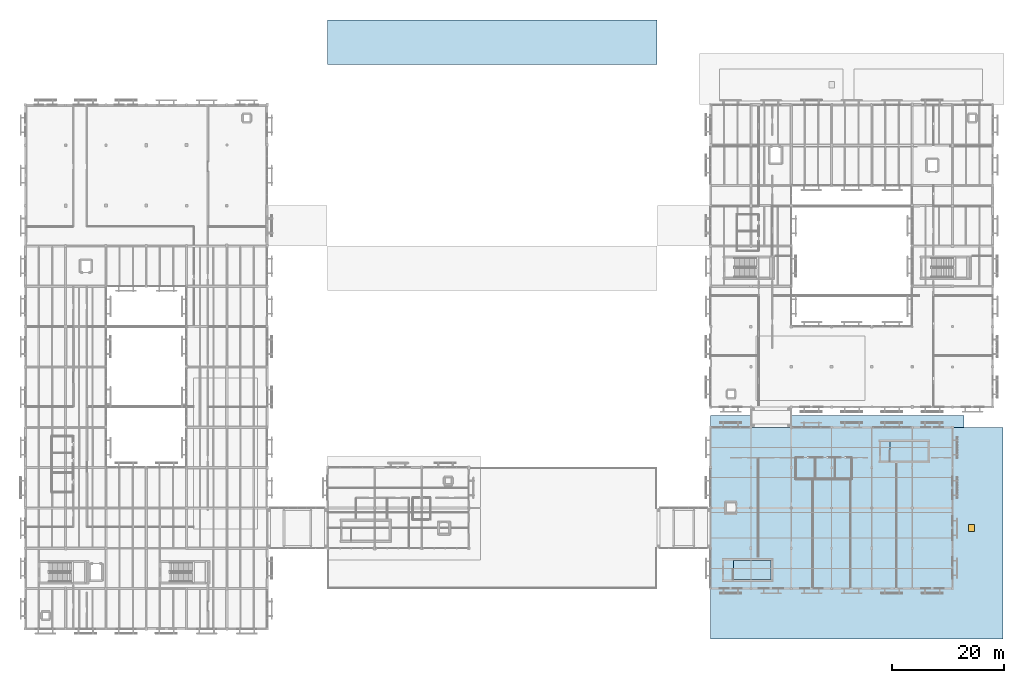
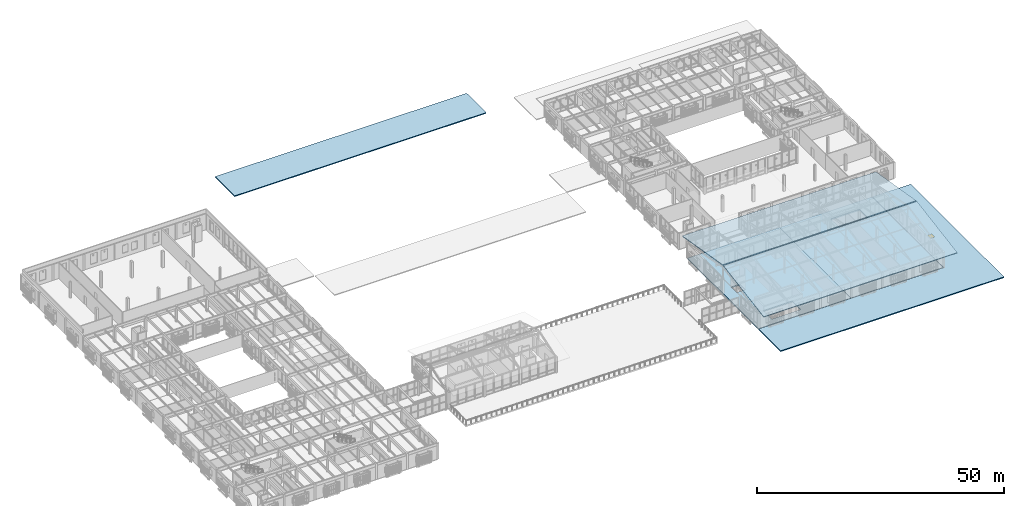
# One storey, part 75 of 112: 6 slabs, 1 door, 1 opening.
"""IFC4 building model written with IfcOpenShell, lengths in metres."""

from ifc_helpers import new_model, si_unit, direction, frame, origin, origin_2d, place, context, subcontext, project, spatial, polyline, rectangle, outline, extrude, material, layer, layer_set, type_object, element, fill, save


model = new_model("IFC4")

# Units and contexts
model_context = context("Model", 3, precision=1e-05, world=origin(), true_north=direction((0.0, 1.0)))
body_context = subcontext(model_context, "Body", "Model", "MODEL_VIEW")
ifc_project = project(units=[si_unit("LENGTHUNIT", "METRE"), si_unit("AREAUNIT", "SQUARE_METRE"), si_unit("VOLUMEUNIT", "CUBIC_METRE"), si_unit("PLANEANGLEUNIT", "RADIAN"), si_unit("MASSUNIT", "GRAM", prefix="KILO")], contexts=[model_context])

# Site, building, storey
site_placement = place(None, origin())
site = spatial("IfcSite", under=ifc_project, at=site_placement, CompositionType="ELEMENT")
building_placement = place(site_placement, origin())
building = spatial("IfcBuilding", under=site, at=building_placement, Name="Mazaris Harbour Polytechnic", CompositionType="ELEMENT")
storey_placement = place(building_placement, frame((0.0, 0.0, 13.800048828125)))
storey = spatial("IfcBuildingStorey", under=building, at=storey_placement, Name="L03", CompositionType="ELEMENT", Elevation=13.800048828125)

# Slabs
ifc_material_1 = material(Name="Glulam GL28h and Concrete C30/37", Category="concrete")
ifc_layer_1 = layer(ifc_material_1, 0.280029296875, Name="Glulam GL28h and Concrete C30/37")
ifc_layer_set_1 = layer_set([ifc_layer_1], Name="Glulam GL28h and Concrete C30/37")
slab_type_1 = type_object("IfcSlabType", Name="CLT Composite Floor 280", PredefinedType="FLOOR", material=ifc_layer_set_1)
slab_1_placement = place(storey_placement, frame((0.0, 0.0, -0.280029296875)))
element("IfcSlab", 1, at=slab_1_placement, inside=storey, type_object=slab_type_1, Name="V2 L03 Floor Slab", PredefinedType="FLOOR", context=body_context, shape_type="SweptSolid", body=[
    extrude(outline(polyline([(122.39990234375, 14.39990234375), (122.39990234375, 43.199951171875), (144.0, 43.199951171875), (144.0, 14.39990234375), (122.39990234375, 14.39990234375)]), holes=[polyline([(133.199951171875, 16.0), (133.199951171875, 19.449951171875), (126.47509765625, 19.449951171875), (126.47509765625, 16.0), (133.199951171875, 16.0)]), polyline([(125.0, 29.89990234375), (125.0, 27.699951171875), (127.0, 27.699951171875), (127.0, 29.89990234375), (125.0, 29.89990234375)])]), origin(), (0.0, 0.0, 1.0), 0.280029296875),
])
slab_2_placement = place(storey_placement, frame((0.0, 0.0, -0.280029296875)))
element("IfcSlab", 2, at=slab_2_placement, inside=storey, type_object=slab_type_1, Name="V2 L03 Floor Slab", PredefinedType="FLOOR", context=body_context, shape_type="SweptSolid", body=[
    extrude(outline(polyline([(165.60009765625, 14.39990234375), (144.0, 14.39990234375), (144.0, 43.199951171875), (165.60009765625, 43.199951171875), (165.60009765625, 14.39990234375)]), holes=[polyline([(154.47509765625, 37.199951171875), (161.199951171875, 37.199951171875), (161.199951171875, 40.64990234375), (154.47509765625, 40.64990234375), (154.47509765625, 37.199951171875)])]), origin(), (0.0, 0.0, 1.0), 0.280029296875),
])

# Slab, opening, door
ifc_material_2 = material(Name="Glulam GL28h and Concrete C30/37", Category="concrete")
ifc_layer_2 = layer(ifc_material_2, 0.239990234375, Name="Glulam GL28h and Concrete C30/37")
ifc_layer_set_2 = layer_set([ifc_layer_2], Name="Glulam GL28h and Concrete C30/37")
slab_type_2 = type_object("IfcSlabType", Name="Insulated Flat Roof Slab 240", PredefinedType="ROOF", material=ifc_layer_set_2)
slab_3_placement = place(storey_placement, frame((0.0, 0.0, -0.239990234375)))
slab_3 = element("IfcSlab", 3, at=slab_3_placement, inside=storey, type_object=slab_type_2, Name="V2 Setback Cornice Roof", PredefinedType="ROOF", context=body_context, shape_type="SweptSolid", body=[
    extrude(outline(polyline([(174.60009765625, 43.199951171875), (174.60009765625, 5.39990234375), (122.39990234375, 5.39990234375), (122.39990234375, 14.35009765625), (165.64990234375, 14.35009765625), (165.64990234375, 43.199951171875), (174.60009765625, 43.199951171875)])), origin(), (0.0, 0.0, 1.0), 0.239990234375),
])
opening_placement = place(slab_3_placement, frame((169.0, 25.199951171875, 0.0)))
opening = element("IfcOpeningElement", 4, at=opening_placement, cuts=slab_3, Name="Opening HT-01", PredefinedType="OPENING", context=body_context, shape_type="SweptSolid", body=[
    extrude(rectangle(XDim=1.0, YDim=1.199951171875, at=origin_2d()), origin(), (0.0, 0.0, 1.0), 0.239990234375),
])
ifc_material_3 = material(Name="Galvanised Steel S355", Category="steel")
door_type = type_object("IfcDoorType", Name="Insulated Roof Access Hatch 1000x1200", OperationType="SINGLE_SWING_LEFT", PredefinedType="TRAPDOOR", material=ifc_material_3)
door_placement = place(opening_placement, frame((0.0, 0.0, 0.18994140625)))
door = element("IfcDoor", 5, at=door_placement, inside=storey, type_object=door_type, Name="HT-04", OperationType="SINGLE_SWING_LEFT", OverallHeight=1.199951171875, OverallWidth=1.0, PredefinedType="TRAPDOOR", context=body_context, shape_type="SweptSolid", body=[
    extrude(rectangle(XDim=1.0, YDim=1.199951171875, at=origin_2d()), origin(), (0.0, 0.0, 1.0), 0.050048828125),
])
fill(opening, door)

# Slabs
ifc_material_4 = material(Name="Glulam GL28h", Category="wood")
ifc_layer_3 = layer(ifc_material_4, 0.205078125, Name="Glulam GL28h")
ifc_layer_set_3 = layer_set([ifc_layer_3], Name="Glulam GL28h")
slab_type_3 = type_object("IfcSlabType", Name="Pavilion Pitched Roof Deck 205", PredefinedType="ROOF", material=ifc_layer_set_3)
slab_4_placement = place(storey_placement, frame((122.39990234375, 12.300048828125, 4.219970703125), z_axis=(0.0, -0.166743566368, 0.986000295677), x_axis=(1.0, 0.0, 0.0)))
element("IfcSlab", 6, at=slab_4_placement, inside=storey, type_object=slab_type_3, Name="V2 Lecture Pavilion South Roof Slope", PredefinedType="ROOF", context=body_context, shape_type="SweptSolid", body=[
    extrude(outline(polyline([(0.0, 0.0), (45.300048828125, 0.0), (45.300048828125, 16.612452231827167), (0.0, 16.612452231827167), (0.0, 0.0)])), origin(), (0.0, 0.0, -1.0), 0.205078125),
])
slab_5_placement = place(storey_placement, frame((122.39990234375, 28.919921875, 6.989990234375), z_axis=(0.0, 0.166741150205, 0.986000704274), x_axis=(1.0, 0.0, 0.0)))
element("IfcSlab", 7, at=slab_5_placement, inside=storey, type_object=slab_type_3, Name="V2 Lecture Pavilion North Roof Slope", PredefinedType="ROOF", context=body_context, shape_type="SweptSolid", body=[
    extrude(outline(polyline([(0.0, 0.0), (45.300048828125, 0.0), (45.300048828125, 16.61269295460548), (0.0, 16.61269295460548), (0.0, 0.0)])), origin(), (0.0, 0.0, -1.0), 0.205078125),
])
ifc_material_5 = material(Name="Glulam GL28h", Category="wood")
ifc_layer_4 = layer(ifc_material_5, 0.219970703125, Name="Glulam GL28h")
ifc_layer_set_4 = layer_set([ifc_layer_4], Name="Glulam GL28h")
slab_type_4 = type_object("IfcSlabType", Name="Pitched Workshop Roof Deck 220", PredefinedType="ROOF", material=ifc_layer_set_4)
slab_6_placement = place(storey_placement, frame((0.0, 0.0, -0.219970703125)))
element("IfcSlab", 8, at=slab_6_placement, inside=storey, type_object=slab_type_4, Name="V1 North 8m Overhanging Eave", PredefinedType="ROOF", context=body_context, shape_type="SweptSolid", body=[
    extrude(outline(polyline([(112.800048828125, 108.0400390625), (112.800048828125, 115.949951171875), (54.0, 115.949951171875), (54.0, 108.0400390625), (112.800048828125, 108.0400390625)])), origin(), (0.0, 0.0, 1.0), 0.219970703125),
])

save(model, "model.ifc")
